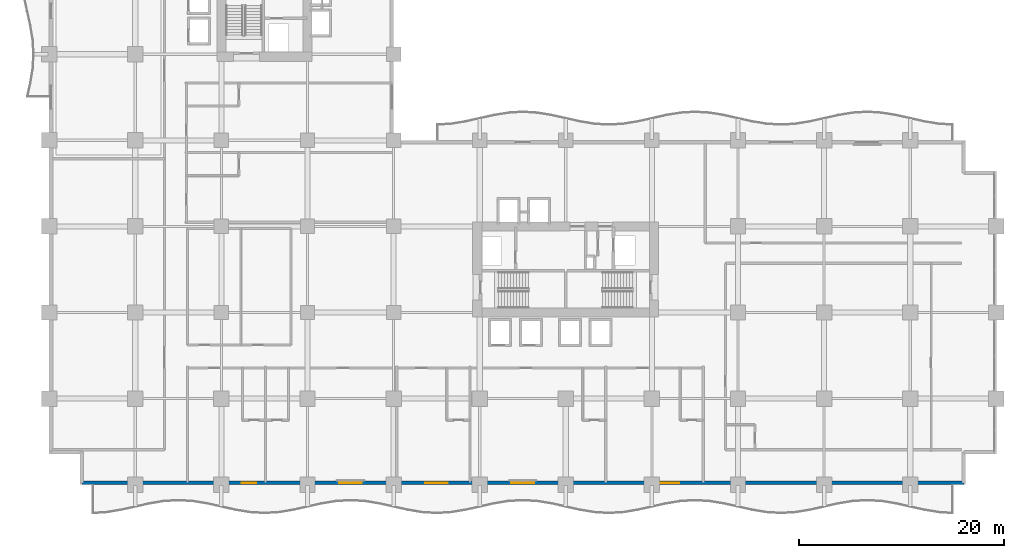
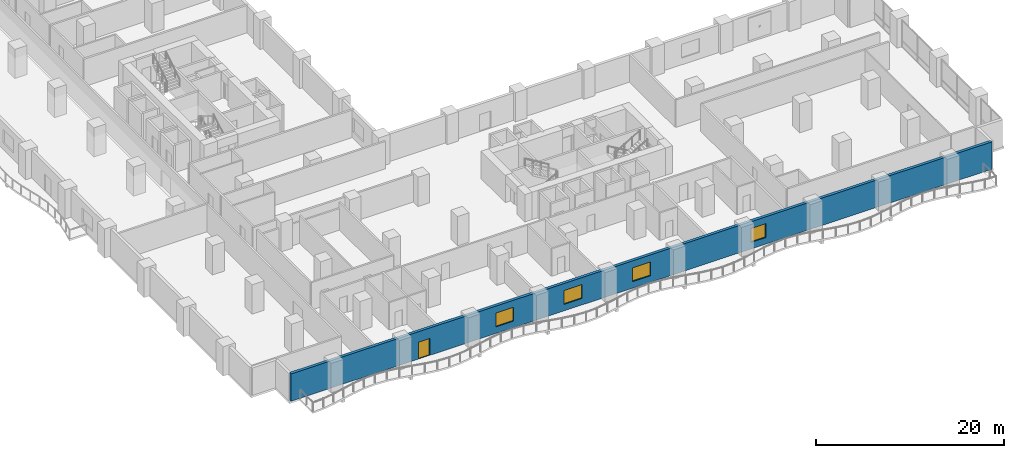
# One storey, part 11 of 27: 4 windows, 1 door, 1 wall, 5 openings.
"""IFC4 building model written with IfcOpenShell, lengths in metres."""

from ifc_helpers import new_model, si_unit, direction, frame, frame_2d, origin, place, context, subcontext, project, spatial, rectangle, extrude, material, layer, layer_set, type_object, element, fill, save


model = new_model("IFC4")

# Units and contexts
model_context = context("Model", 3, precision=1e-05, world=origin(), true_north=direction((0.0, 1.0)))
body_context = subcontext(model_context, "Body", "Model", "MODEL_VIEW")
ifc_project = project(units=[si_unit("LENGTHUNIT", "METRE"), si_unit("AREAUNIT", "SQUARE_METRE"), si_unit("VOLUMEUNIT", "CUBIC_METRE"), si_unit("PLANEANGLEUNIT", "RADIAN"), si_unit("MASSUNIT", "GRAM", prefix="KILO")], contexts=[model_context])

# Site, building, storey
site_placement = place(None, origin())
site = spatial("IfcSite", under=ifc_project, at=site_placement, CompositionType="ELEMENT")
building_placement = place(site_placement, origin())
building = spatial("IfcBuilding", under=site, at=building_placement, Name="Koriwani Terraces Tower", CompositionType="ELEMENT")
storey_placement = place(building_placement, frame((0.0, 0.0, 54.800048828125)))
storey = spatial("IfcBuildingStorey", under=building, at=storey_placement, Name="L12", CompositionType="ELEMENT", Elevation=54.800048828125)

# Wall, openings, door, windows
ifc_material_1 = material(Name="Concrete C50/60", Category="concrete")
ifc_layer = layer(ifc_material_1, 0.35009765625, Name="Concrete C50/60")
ifc_layer_set = layer_set([ifc_layer], Name="Concrete C50/60")
wall_type = type_object("IfcWallType", Name="WALL_EXT_BRUTALIST_350", PredefinedType="STANDARD", material=ifc_layer_set)
wall_placement = place(storey_placement, frame((89.22509765625, 0.175048828125, 0.0), z_axis=(0.0, 0.0, 1.0), x_axis=(-1.0, 0.0, 0.0)))
wall = element("IfcWall", 1, at=wall_placement, inside=storey, type_object=wall_type, Name="L12 Fair-Faced Brutalist Exterior Wall (S)", PredefinedType="STANDARD", context=body_context, shape_type="SweptSolid", body=[
    extrude(rectangle(XDim=86.050048828125, YDim=0.35009765625, at=frame_2d((43.02490234375, 0.0))), origin(), (0.0, 0.0, 1.0), 3.550048828125),
])
opening_1_placement = place(wall_placement, frame((69.02490234375, 0.0, 0.0)))
opening_1 = element("IfcOpeningElement", 2, at=opening_1_placement, cuts=wall, Name="Opening D-09", PredefinedType="OPENING", context=body_context, shape_type="SweptSolid", body=[
    extrude(rectangle(XDim=1.39990234375, YDim=2.199951171875, at=frame_2d((0.699951171875, 1.10009765625))), frame((0.0, 0.18505859375, 0.0), z_axis=(0.0, -1.0, 0.0), x_axis=(1.0, 0.0, 0.0)), (0.0, 0.0, 1.0), 0.3701171875),
])
opening_2_placement = place(wall_placement, frame((58.72509765625, 0.0, 0.85009765625)))
opening_2 = element("IfcOpeningElement", 3, at=opening_2_placement, cuts=wall, Name="Opening W-01", PredefinedType="OPENING", context=body_context, shape_type="SweptSolid", body=[
    extrude(rectangle(XDim=2.199951171875, YDim=1.800048828125, at=frame_2d((1.10009765625, 0.89990234375))), frame((0.0, 0.18505859375, 0.0), z_axis=(0.0, -1.0, 0.0), x_axis=(1.0, 0.0, 0.0)), (0.0, 0.0, 1.0), 0.3701171875),
])
opening_3_placement = place(wall_placement, frame((50.324951171875, 0.0, 0.85009765625)))
opening_3 = element("IfcOpeningElement", 4, at=opening_3_placement, cuts=wall, Name="Opening W-01", PredefinedType="OPENING", context=body_context, shape_type="SweptSolid", body=[
    extrude(rectangle(XDim=2.199951171875, YDim=1.800048828125, at=frame_2d((1.10009765625, 0.89990234375))), frame((0.0, 0.18505859375, 0.0), z_axis=(0.0, -1.0, 0.0), x_axis=(1.0, 0.0, 0.0)), (0.0, 0.0, 1.0), 0.3701171875),
])
opening_4_placement = place(wall_placement, frame((41.925048828125, 0.0, 0.85009765625)))
opening_4 = element("IfcOpeningElement", 5, at=opening_4_placement, cuts=wall, Name="Opening W-01", PredefinedType="OPENING", context=body_context, shape_type="SweptSolid", body=[
    extrude(rectangle(XDim=2.199951171875, YDim=1.800048828125, at=frame_2d((1.10009765625, 0.89990234375))), frame((0.0, 0.18505859375, 0.0), z_axis=(0.0, -1.0, 0.0), x_axis=(1.0, 0.0, 0.0)), (0.0, 0.0, 1.0), 0.3701171875),
])
opening_5_placement = place(wall_placement, frame((27.77490234375, 0.0, 0.85009765625)))
opening_5 = element("IfcOpeningElement", 6, at=opening_5_placement, cuts=wall, Name="Opening W-04", PredefinedType="OPENING", context=body_context, shape_type="SweptSolid", body=[
    extrude(rectangle(XDim=1.800048828125, YDim=1.800048828125, at=frame_2d((0.89990234375, 0.89990234375))), frame((0.0, 0.18505859375, 0.0), z_axis=(0.0, -1.0, 0.0), x_axis=(1.0, 0.0, 0.0)), (0.0, 0.0, 1.0), 0.3701171875),
])
ifc_material_2 = material(Name="Anodised Bronze Aluminium", Category="aluminium")
door_type = type_object("IfcDoorType", Name="DOOR_BALCONY_GLAZED_1400X2200", OperationType="NOTDEFINED", PredefinedType="DOOR", material=ifc_material_2)
door_placement = place(opening_1_placement, origin())
door = element("IfcDoor", 7, at=door_placement, inside=storey, type_object=door_type, Name="L12 South Balcony Glazed Door", OperationType="SINGLE_SWING_LEFT", OverallHeight=2.199951171875, OverallWidth=1.39990234375, PredefinedType="DOOR", context=body_context, shape_type="SweptSolid", body=[
    extrude(rectangle(XDim=1.39990234375, YDim=2.199951171875, at=frame_2d((0.699951171875, 1.10009765625))), frame((0.0, 0.02490234375, 0.0), z_axis=(0.0, -1.0, 0.0), x_axis=(1.0, 0.0, 0.0)), (0.0, 0.0, 1.0), 0.050048828125),
])
fill(opening_1, door)
ifc_material_3 = material(Name="Tempered Laminated Low-E Glass", Category="glass")
window_type_1 = type_object("IfcWindowType", Name="WIN_HOTEL_STD_2200X1800", PartitioningType="DOUBLE_PANEL_VERTICAL", PredefinedType="WINDOW", material=ifc_material_3)
window_1_placement = place(opening_2_placement, origin())
window_1 = element("IfcWindow", 8, at=window_1_placement, inside=storey, type_object=window_type_1, Name="L12 Exterior Window (S-9)", OverallHeight=1.800048828125, OverallWidth=2.199951171875, PartitioningType="SINGLE_PANEL", PredefinedType="WINDOW", context=body_context, shape_type="SweptSolid", body=[
    extrude(rectangle(XDim=2.199951171875, YDim=1.800048828125, at=frame_2d((1.10009765625, 0.89990234375))), frame((0.0, 0.030029296875, 0.0), z_axis=(0.0, -1.0, 0.0), x_axis=(1.0, 0.0, 0.0)), (0.0, 0.0, 1.0), 0.06005859375),
])
fill(opening_2, window_1)
window_2_placement = place(opening_3_placement, origin())
window_2 = element("IfcWindow", 9, at=window_2_placement, inside=storey, type_object=window_type_1, Name="L12 Exterior Window (S-12)", OverallHeight=1.800048828125, OverallWidth=2.199951171875, PartitioningType="SINGLE_PANEL", PredefinedType="WINDOW", context=body_context, shape_type="SweptSolid", body=[
    extrude(rectangle(XDim=2.199951171875, YDim=1.800048828125, at=frame_2d((1.10009765625, 0.89990234375))), frame((0.0, 0.030029296875, 0.0), z_axis=(0.0, -1.0, 0.0), x_axis=(1.0, 0.0, 0.0)), (0.0, 0.0, 1.0), 0.06005859375),
])
fill(opening_3, window_2)
window_3_placement = place(opening_4_placement, origin())
window_3 = element("IfcWindow", 10, at=window_3_placement, inside=storey, type_object=window_type_1, Name="L12 Exterior Window (S-15)", OverallHeight=1.800048828125, OverallWidth=2.199951171875, PartitioningType="SINGLE_PANEL", PredefinedType="WINDOW", context=body_context, shape_type="SweptSolid", body=[
    extrude(rectangle(XDim=2.199951171875, YDim=1.800048828125, at=frame_2d((1.10009765625, 0.89990234375))), frame((0.0, 0.030029296875, 0.0), z_axis=(0.0, -1.0, 0.0), x_axis=(1.0, 0.0, 0.0)), (0.0, 0.0, 1.0), 0.06005859375),
])
fill(opening_4, window_3)
window_type_2 = type_object("IfcWindowType", Name="WIN_RES_BED_1800X1800", PartitioningType="DOUBLE_PANEL_VERTICAL", PredefinedType="WINDOW", material=ifc_material_3)
window_4_placement = place(opening_5_placement, origin())
window_4 = element("IfcWindow", 11, at=window_4_placement, inside=storey, type_object=window_type_2, Name="L12 Exterior Window (S-R45)", OverallHeight=1.800048828125, OverallWidth=1.800048828125, PartitioningType="SINGLE_PANEL", PredefinedType="WINDOW", context=body_context, shape_type="SweptSolid", body=[
    extrude(rectangle(XDim=1.800048828125, YDim=1.800048828125, at=frame_2d((0.89990234375, 0.89990234375))), frame((0.0, 0.030029296875, 0.0), z_axis=(0.0, -1.0, 0.0), x_axis=(1.0, 0.0, 0.0)), (0.0, 0.0, 1.0), 0.06005859375),
])
fill(opening_5, window_4)

save(model, "model.ifc")
